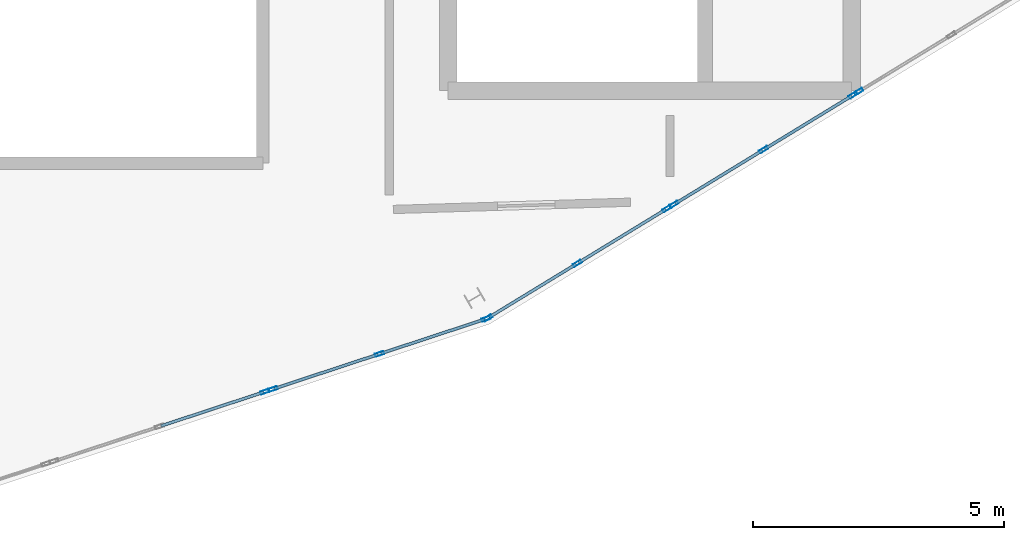
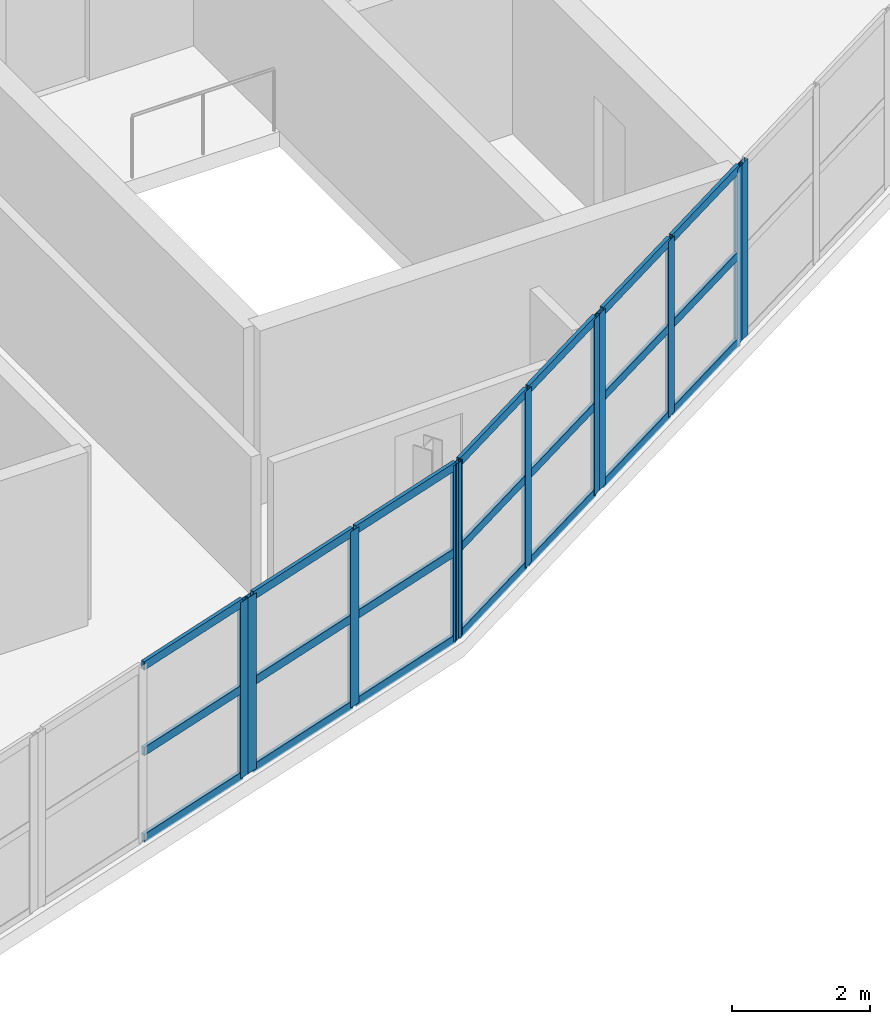
# One storey, part 19 of 35: 32 members, 5 elements without a shape of their own.
"""IFC4 building model written with IfcOpenShell, lengths in metres."""

from ifc_helpers import new_model, si_unit, direction, frame, origin, origin_2d, place, context, subcontext, project, spatial, hollow_rectangle, extrude, material, layer, layer_set, material_profile, profile_set, type_object, element, aggregate, save


model = new_model("IFC4")

# Units and contexts
model_context = context("Model", 3, precision=1e-05, world=origin(), true_north=direction((0.0, 1.0)))
body_context = subcontext(model_context, "Body", "Model", "MODEL_VIEW")
ifc_project = project(units=[si_unit("LENGTHUNIT", "METRE"), si_unit("AREAUNIT", "SQUARE_METRE"), si_unit("VOLUMEUNIT", "CUBIC_METRE"), si_unit("PLANEANGLEUNIT", "RADIAN"), si_unit("MASSUNIT", "GRAM", prefix="KILO")], contexts=[model_context])

# Site, building, storey
site_placement = place(None, origin())
site = spatial("IfcSite", under=ifc_project, at=site_placement, CompositionType="ELEMENT")
building_placement = place(site_placement, origin())
building = spatial("IfcBuilding", under=site, at=building_placement, Name="Kalgoora Escarpment Arena", CompositionType="ELEMENT")
storey_placement = place(building_placement, frame((0.0, 0.0, 23.39990234375)))
storey = spatial("IfcBuildingStorey", under=building, at=storey_placement, Name="L05", CompositionType="ELEMENT", Elevation=23.39990234375)

# Curtain wall, member
ifc_material_1 = material(Name=" Champagne anodised aluminium & double-glazed low-E", Category="aluminium")
ifc_layer_1 = layer(ifc_material_1, 0.166015625)
ifc_layer_set_1 = layer_set([ifc_layer_1], Name="CW-UNIT-04")
curtain_wall_type_1 = type_object("IfcCurtainWallType", Name="CW-UNIT-04", PredefinedType="NOTDEFINED", material=ifc_layer_set_1)
curtain_wall_1_placement = place(storey_placement, origin())
curtain_wall_1 = element("IfcCurtainWall", 1, at=curtain_wall_1_placement, inside=storey, type_object=curtain_wall_type_1, Name="L05 unitised facade curtain wall 183", PredefinedType="NOTDEFINED")
ifc_material_2 = material(Name="Anodised aluminium 6063-T6", Category="aluminium")
ifc_material_profile_1 = material_profile(ifc_material_2, hollow_rectangle(XDim=0.06494140625, YDim=0.179931640625, WallThickness=0.00390625, at=origin_2d()))
ifc_profile_set_1 = profile_set([ifc_material_profile_1], Name="Anodised aluminium 6063-T6")
member_type_1 = type_object("IfcMemberType", Name="MEM-CW-MULL-180", PredefinedType="MULLION", material=ifc_profile_set_1)
member_1_placement = place(storey_placement, frame((135.96533203125, 18.753662109375, 0.02001953125), z_axis=(0.0, 0.0, 1.0), x_axis=(0.52106650732, -0.853516077733, 0.0)))
member_1 = element("IfcMember", 2, at=member_1_placement, type_object=member_type_1, Name="CW-04 mullion 3", PredefinedType="MULLION", context=body_context, shape_type="SweptSolid", body=[
    extrude(hollow_rectangle(XDim=0.06494140625, YDim=0.179931640625, WallThickness=0.00390625, at=origin_2d()), origin(), (0.0, 0.0, 1.0), 3.1201171875),
])
aggregate(curtain_wall_1, [member_1])

# Curtain wall, members
ifc_material_3 = material(Name=" Champagne anodised aluminium & double-glazed low-E", Category="aluminium")
ifc_layer_2 = layer(ifc_material_3, 0.14990234375)
ifc_layer_set_2 = layer_set([ifc_layer_2], Name="CW-UNIT-05")
curtain_wall_type_2 = type_object("IfcCurtainWallType", Name="CW-UNIT-05", PredefinedType="NOTDEFINED", material=ifc_layer_set_2)
curtain_wall_2_placement = place(storey_placement, origin())
curtain_wall_2 = element("IfcCurtainWall", 3, at=curtain_wall_2_placement, inside=storey, type_object=curtain_wall_type_2, Name="L05 unitised facade curtain wall 184", PredefinedType="NOTDEFINED")
member_2_placement = place(storey_placement, frame((135.853515625, 18.685546875, 0.02001953125), z_axis=(0.0, 0.0, 1.0), x_axis=(0.521048501858, -0.853527069701, 0.0)))
member_2 = element("IfcMember", 4, at=member_2_placement, type_object=member_type_1, Name="CW-05 mullion 1", PredefinedType="MULLION", context=body_context, shape_type="SweptSolid", body=[
    extrude(hollow_rectangle(XDim=0.06494140625, YDim=0.179931640625, WallThickness=0.00390625, at=origin_2d()), origin(), (0.0, 0.0, 1.0), 3.1201171875),
])
member_3_placement = place(storey_placement, frame((134.066650390625, 17.5947265625, 0.02001953125), z_axis=(0.0, 0.0, 1.0), x_axis=(0.521048501858, -0.853527069701, 0.0)))
member_3 = element("IfcMember", 5, at=member_3_placement, type_object=member_type_1, Name="CW-05 mullion 2", PredefinedType="MULLION", context=body_context, shape_type="SweptSolid", body=[
    extrude(hollow_rectangle(XDim=0.06494140625, YDim=0.179931640625, WallThickness=0.00390625, at=origin_2d()), origin(), (0.0, 0.0, 1.0), 3.1201171875),
])
member_4_placement = place(storey_placement, frame((132.27978515625, 16.50390625, 0.02001953125), z_axis=(0.0, 0.0, 1.0), x_axis=(0.521048501858, -0.853527069701, 0.0)))
member_4 = element("IfcMember", 6, at=member_4_placement, type_object=member_type_1, Name="CW-05 mullion 3", PredefinedType="MULLION", context=body_context, shape_type="SweptSolid", body=[
    extrude(hollow_rectangle(XDim=0.06494140625, YDim=0.179931640625, WallThickness=0.00390625, at=origin_2d()), origin(), (0.0, 0.0, 1.0), 3.1201171875),
])

ifc_material_4 = material(Name=" Champagne anodised aluminium & double-glazed low-E", Category="aluminium")
ifc_layer_3 = layer(ifc_material_4, 0.154052734375)
ifc_layer_set_3 = layer_set([ifc_layer_3], Name="CW-UNIT-06")
curtain_wall_type_3 = type_object("IfcCurtainWallType", Name="CW-UNIT-06", PredefinedType="NOTDEFINED", material=ifc_layer_set_3)
curtain_wall_3_placement = place(storey_placement, origin())
curtain_wall_3 = element("IfcCurtainWall", 7, at=curtain_wall_3_placement, inside=storey, type_object=curtain_wall_type_3, Name="L05 unitised facade curtain wall 185", PredefinedType="NOTDEFINED")
member_5_placement = place(storey_placement, frame((132.138916015625, 16.41796875, 0.02001953125), z_axis=(0.0, 0.0, 1.0), x_axis=(0.521058961304, -0.853520684485, 0.0)))
member_5 = element("IfcMember", 8, at=member_5_placement, type_object=member_type_1, Name="CW-06 mullion 1", PredefinedType="MULLION", context=body_context, shape_type="SweptSolid", body=[
    extrude(hollow_rectangle(XDim=0.06494140625, YDim=0.179931640625, WallThickness=0.00390625, at=origin_2d()), origin(), (0.0, 0.0, 1.0), 3.1201171875),
])
member_6_placement = place(storey_placement, frame((130.35205078125, 15.3271484375, 0.02001953125), z_axis=(0.0, 0.0, 1.0), x_axis=(0.521058961304, -0.853520684485, 0.0)))
member_6 = element("IfcMember", 9, at=member_6_placement, type_object=member_type_1, Name="CW-06 mullion 2", PredefinedType="MULLION", context=body_context, shape_type="SweptSolid", body=[
    extrude(hollow_rectangle(XDim=0.06494140625, YDim=0.179931640625, WallThickness=0.00390625, at=origin_2d()), origin(), (0.0, 0.0, 1.0), 3.1201171875),
])
member_7_placement = place(storey_placement, frame((128.565185546875, 14.236328125, 0.02001953125), z_axis=(0.0, 0.0, 1.0), x_axis=(0.521058961304, -0.853520684485, 0.0)))
member_7 = element("IfcMember", 10, at=member_7_placement, type_object=member_type_1, Name="CW-06 mullion 3", PredefinedType="MULLION", context=body_context, shape_type="SweptSolid", body=[
    extrude(hollow_rectangle(XDim=0.06494140625, YDim=0.179931640625, WallThickness=0.00390625, at=origin_2d()), origin(), (0.0, 0.0, 1.0), 3.1201171875),
])

ifc_material_5 = material(Name=" Champagne anodised aluminium & double-glazed low-E", Category="aluminium")
ifc_layer_4 = layer(ifc_material_5, 0.157958984375)
ifc_layer_set_4 = layer_set([ifc_layer_4], Name="CW-UNIT-07")
curtain_wall_type_4 = type_object("IfcCurtainWallType", Name="CW-UNIT-07", PredefinedType="NOTDEFINED", material=ifc_layer_set_4)
curtain_wall_4_placement = place(storey_placement, origin())
curtain_wall_4 = element("IfcCurtainWall", 11, at=curtain_wall_4_placement, inside=storey, type_object=curtain_wall_type_4, Name="L05 unitised facade curtain wall 186", PredefinedType="NOTDEFINED")
member_8_placement = place(storey_placement, frame((128.531494140625, 14.220703125, 0.02001953125), z_axis=(0.0, 0.0, 1.0), x_axis=(0.312985861452, -0.949757785191, 0.0)))
member_8 = element("IfcMember", 12, at=member_8_placement, type_object=member_type_1, Name="CW-07 mullion 1", PredefinedType="MULLION", context=body_context, shape_type="SweptSolid", body=[
    extrude(hollow_rectangle(XDim=0.06494140625, YDim=0.179931640625, WallThickness=0.00390625, at=origin_2d()), origin(), (0.0, 0.0, 1.0), 3.1201171875),
])
member_9_placement = place(storey_placement, frame((126.403564453125, 13.51953125, 0.02001953125), z_axis=(0.0, 0.0, 1.0), x_axis=(0.312985861452, -0.949757785191, 0.0)))
member_9 = element("IfcMember", 13, at=member_9_placement, type_object=member_type_1, Name="CW-07 mullion 2", PredefinedType="MULLION", context=body_context, shape_type="SweptSolid", body=[
    extrude(hollow_rectangle(XDim=0.06494140625, YDim=0.179931640625, WallThickness=0.00390625, at=origin_2d()), origin(), (0.0, 0.0, 1.0), 3.1201171875),
])
member_10_placement = place(storey_placement, frame((124.275390625, 12.818115234375, 0.02001953125), z_axis=(0.0, 0.0, 1.0), x_axis=(0.312985861452, -0.949757785191, 0.0)))
member_10 = element("IfcMember", 14, at=member_10_placement, type_object=member_type_1, Name="CW-07 mullion 3", PredefinedType="MULLION", context=body_context, shape_type="SweptSolid", body=[
    extrude(hollow_rectangle(XDim=0.06494140625, YDim=0.179931640625, WallThickness=0.00390625, at=origin_2d()), origin(), (0.0, 0.0, 1.0), 3.1201171875),
])

# Curtain wall, member
ifc_material_6 = material(Name=" Champagne anodised aluminium & double-glazed low-E", Category="aluminium")
ifc_layer_5 = layer(ifc_material_6, 0.162109375)
ifc_layer_set_5 = layer_set([ifc_layer_5], Name="CW-UNIT-08")
curtain_wall_type_5 = type_object("IfcCurtainWallType", Name="CW-UNIT-08", PredefinedType="NOTDEFINED", material=ifc_layer_set_5)
curtain_wall_5_placement = place(storey_placement, origin())
curtain_wall_5 = element("IfcCurtainWall", 15, at=curtain_wall_5_placement, inside=storey, type_object=curtain_wall_type_5, Name="L05 unitised facade curtain wall 187", PredefinedType="NOTDEFINED")
member_11_placement = place(storey_placement, frame((124.11865234375, 12.7666015625, 0.02001953125), z_axis=(0.0, 0.0, 1.0), x_axis=(0.312989939956, -0.94975644114, 0.0)))
member_11 = element("IfcMember", 16, at=member_11_placement, type_object=member_type_1, Name="CW-08 mullion 1", PredefinedType="MULLION", context=body_context, shape_type="SweptSolid", body=[
    extrude(hollow_rectangle(XDim=0.06494140625, YDim=0.179931640625, WallThickness=0.00390625, at=origin_2d()), origin(), (0.0, 0.0, 1.0), 3.1201171875),
])

# Member
ifc_material_7 = material(Name="Anodised aluminium 6063-T6", Category="aluminium")
ifc_material_profile_2 = material_profile(ifc_material_7, hollow_rectangle(XDim=0.06005859375, YDim=0.14990234375, WallThickness=0.00341796875, at=origin_2d()))
ifc_profile_set_2 = profile_set([ifc_material_profile_2], Name="Anodised aluminium 6063-T6")
member_type_2 = type_object("IfcMemberType", Name="MEM-CW-TRAN-150", PredefinedType="USERDEFINED", material=ifc_profile_set_2)
member_12_placement = place(storey_placement, frame((135.82568359375, 18.66845703125, 0.050048828125), z_axis=(-0.853549474663, -0.521011798621, 0.0), x_axis=(0.521011798621, -0.853549474663, 0.0)))
member_12 = element("IfcMember", 17, at=member_12_placement, type_object=member_type_2, Name="CW-05 transom 1.1", ObjectType="TRANSOM", PredefinedType="USERDEFINED", context=body_context, shape_type="SweptSolid", body=[
    extrude(hollow_rectangle(XDim=0.06005859375, YDim=0.14990234375, WallThickness=0.00341796875, at=origin_2d()), origin(), (0.0, 0.0, 1.0), 2.028564453125),
])

member_13_placement = place(storey_placement, frame((135.82568359375, 18.66845703125, 1.590087890625), z_axis=(-0.853549474663, -0.521011798621, 0.0), x_axis=(0.521011798621, -0.853549474663, 0.0)))
member_13 = element("IfcMember", 18, at=member_13_placement, type_object=member_type_2, Name="CW-05 transom 1.2", ObjectType="TRANSOM", PredefinedType="USERDEFINED", context=body_context, shape_type="SweptSolid", body=[
    extrude(hollow_rectangle(XDim=0.06005859375, YDim=0.14990234375, WallThickness=0.00341796875, at=origin_2d()), origin(), (0.0, 0.0, 1.0), 2.028564453125),
])

member_14_placement = place(storey_placement, frame((135.82568359375, 18.66845703125, 3.110107421875), z_axis=(-0.853549474663, -0.521011798621, 0.0), x_axis=(0.521011798621, -0.853549474663, 0.0)))
member_14 = element("IfcMember", 19, at=member_14_placement, type_object=member_type_2, Name="CW-05 transom 1.3", ObjectType="TRANSOM", PredefinedType="USERDEFINED", context=body_context, shape_type="SweptSolid", body=[
    extrude(hollow_rectangle(XDim=0.06005859375, YDim=0.14990234375, WallThickness=0.00341796875, at=origin_2d()), origin(), (0.0, 0.0, 1.0), 2.028564453125),
])

member_15_placement = place(storey_placement, frame((134.038818359375, 17.57763671875, 0.050048828125), z_axis=(-0.853549474663, -0.521011798621, 0.0), x_axis=(0.521011798621, -0.853549474663, 0.0)))
member_15 = element("IfcMember", 20, at=member_15_placement, type_object=member_type_2, Name="CW-05 transom 2.1", ObjectType="TRANSOM", PredefinedType="USERDEFINED", context=body_context, shape_type="SweptSolid", body=[
    extrude(hollow_rectangle(XDim=0.06005859375, YDim=0.14990234375, WallThickness=0.00341796875, at=origin_2d()), origin(), (0.0, 0.0, 1.0), 2.028564453125),
])

member_16_placement = place(storey_placement, frame((134.038818359375, 17.57763671875, 1.590087890625), z_axis=(-0.853549474663, -0.521011798621, 0.0), x_axis=(0.521011798621, -0.853549474663, 0.0)))
member_16 = element("IfcMember", 21, at=member_16_placement, type_object=member_type_2, Name="CW-05 transom 2.2", ObjectType="TRANSOM", PredefinedType="USERDEFINED", context=body_context, shape_type="SweptSolid", body=[
    extrude(hollow_rectangle(XDim=0.06005859375, YDim=0.14990234375, WallThickness=0.00341796875, at=origin_2d()), origin(), (0.0, 0.0, 1.0), 2.028564453125),
])

member_17_placement = place(storey_placement, frame((134.038818359375, 17.57763671875, 3.110107421875), z_axis=(-0.853549474663, -0.521011798621, 0.0), x_axis=(0.521011798621, -0.853549474663, 0.0)))
member_17 = element("IfcMember", 22, at=member_17_placement, type_object=member_type_2, Name="CW-05 transom 2.3", ObjectType="TRANSOM", PredefinedType="USERDEFINED", context=body_context, shape_type="SweptSolid", body=[
    extrude(hollow_rectangle(XDim=0.06005859375, YDim=0.14990234375, WallThickness=0.00341796875, at=origin_2d()), origin(), (0.0, 0.0, 1.0), 2.028564453125),
])

aggregate(curtain_wall_2, [member_2, member_3, member_4, member_12, member_13, member_14, member_15, member_16, member_17])

member_18_placement = place(storey_placement, frame((132.111083984375, 16.40087890625, 0.050048828125), z_axis=(-0.853516799181, -0.521065325575, 0.0), x_axis=(0.521065325575, -0.853516799181, 0.0)))
member_18 = element("IfcMember", 23, at=member_18_placement, type_object=member_type_2, Name="CW-06 transom 1.1", ObjectType="TRANSOM", PredefinedType="USERDEFINED", context=body_context, shape_type="SweptSolid", body=[
    extrude(hollow_rectangle(XDim=0.06005859375, YDim=0.14990234375, WallThickness=0.00341796875, at=origin_2d()), origin(), (0.0, 0.0, 1.0), 2.0283203125),
])

member_19_placement = place(storey_placement, frame((132.111083984375, 16.40087890625, 1.590087890625), z_axis=(-0.853516799181, -0.521065325575, 0.0), x_axis=(0.521065325575, -0.853516799181, 0.0)))
member_19 = element("IfcMember", 24, at=member_19_placement, type_object=member_type_2, Name="CW-06 transom 1.2", ObjectType="TRANSOM", PredefinedType="USERDEFINED", context=body_context, shape_type="SweptSolid", body=[
    extrude(hollow_rectangle(XDim=0.06005859375, YDim=0.14990234375, WallThickness=0.00341796875, at=origin_2d()), origin(), (0.0, 0.0, 1.0), 2.0283203125),
])

member_20_placement = place(storey_placement, frame((132.111083984375, 16.40087890625, 3.110107421875), z_axis=(-0.853516799181, -0.521065325575, 0.0), x_axis=(0.521065325575, -0.853516799181, 0.0)))
member_20 = element("IfcMember", 25, at=member_20_placement, type_object=member_type_2, Name="CW-06 transom 1.3", ObjectType="TRANSOM", PredefinedType="USERDEFINED", context=body_context, shape_type="SweptSolid", body=[
    extrude(hollow_rectangle(XDim=0.06005859375, YDim=0.14990234375, WallThickness=0.00341796875, at=origin_2d()), origin(), (0.0, 0.0, 1.0), 2.0283203125),
])

member_21_placement = place(storey_placement, frame((130.32421875, 15.31005859375, 0.050048828125), z_axis=(-0.853516799181, -0.521065325575, 0.0), x_axis=(0.521065325575, -0.853516799181, 0.0)))
member_21 = element("IfcMember", 26, at=member_21_placement, type_object=member_type_2, Name="CW-06 transom 2.1", ObjectType="TRANSOM", PredefinedType="USERDEFINED", context=body_context, shape_type="SweptSolid", body=[
    extrude(hollow_rectangle(XDim=0.06005859375, YDim=0.14990234375, WallThickness=0.00341796875, at=origin_2d()), origin(), (0.0, 0.0, 1.0), 2.0283203125),
])

member_22_placement = place(storey_placement, frame((130.32421875, 15.31005859375, 1.590087890625), z_axis=(-0.853516799181, -0.521065325575, 0.0), x_axis=(0.521065325575, -0.853516799181, 0.0)))
member_22 = element("IfcMember", 27, at=member_22_placement, type_object=member_type_2, Name="CW-06 transom 2.2", ObjectType="TRANSOM", PredefinedType="USERDEFINED", context=body_context, shape_type="SweptSolid", body=[
    extrude(hollow_rectangle(XDim=0.06005859375, YDim=0.14990234375, WallThickness=0.00341796875, at=origin_2d()), origin(), (0.0, 0.0, 1.0), 2.0283203125),
])

member_23_placement = place(storey_placement, frame((130.32421875, 15.31005859375, 3.110107421875), z_axis=(-0.853516799181, -0.521065325575, 0.0), x_axis=(0.521065325575, -0.853516799181, 0.0)))
member_23 = element("IfcMember", 28, at=member_23_placement, type_object=member_type_2, Name="CW-06 transom 2.3", ObjectType="TRANSOM", PredefinedType="USERDEFINED", context=body_context, shape_type="SweptSolid", body=[
    extrude(hollow_rectangle(XDim=0.06005859375, YDim=0.14990234375, WallThickness=0.00341796875, at=origin_2d()), origin(), (0.0, 0.0, 1.0), 2.0283203125),
])

aggregate(curtain_wall_3, [member_5, member_6, member_7, member_18, member_19, member_20, member_21, member_22, member_23])

member_24_placement = place(storey_placement, frame((128.500732421875, 14.21044921875, 0.050048828125), z_axis=(-0.949766139008, -0.312960510597, 0.0), x_axis=(0.312960510597, -0.949766139008, 0.0)))
member_24 = element("IfcMember", 29, at=member_24_placement, type_object=member_type_2, Name="CW-07 transom 1.1", ObjectType="TRANSOM", PredefinedType="USERDEFINED", context=body_context, shape_type="SweptSolid", body=[
    extrude(hollow_rectangle(XDim=0.06005859375, YDim=0.14990234375, WallThickness=0.00341796875, at=origin_2d()), origin(), (0.0, 0.0, 1.0), 2.17578125),
])

member_25_placement = place(storey_placement, frame((128.500732421875, 14.21044921875, 1.590087890625), z_axis=(-0.949766139008, -0.312960510597, 0.0), x_axis=(0.312960510597, -0.949766139008, 0.0)))
member_25 = element("IfcMember", 30, at=member_25_placement, type_object=member_type_2, Name="CW-07 transom 1.2", ObjectType="TRANSOM", PredefinedType="USERDEFINED", context=body_context, shape_type="SweptSolid", body=[
    extrude(hollow_rectangle(XDim=0.06005859375, YDim=0.14990234375, WallThickness=0.00341796875, at=origin_2d()), origin(), (0.0, 0.0, 1.0), 2.17578125),
])

member_26_placement = place(storey_placement, frame((128.500732421875, 14.21044921875, 3.110107421875), z_axis=(-0.949766139008, -0.312960510597, 0.0), x_axis=(0.312960510597, -0.949766139008, 0.0)))
member_26 = element("IfcMember", 31, at=member_26_placement, type_object=member_type_2, Name="CW-07 transom 1.3", ObjectType="TRANSOM", PredefinedType="USERDEFINED", context=body_context, shape_type="SweptSolid", body=[
    extrude(hollow_rectangle(XDim=0.06005859375, YDim=0.14990234375, WallThickness=0.00341796875, at=origin_2d()), origin(), (0.0, 0.0, 1.0), 2.17578125),
])

member_27_placement = place(storey_placement, frame((126.37255859375, 13.50927734375, 0.050048828125), z_axis=(-0.949755146684, -0.312993867907, 0.0), x_axis=(0.312993867907, -0.949755146684, 0.0)))
member_27 = element("IfcMember", 32, at=member_27_placement, type_object=member_type_2, Name="CW-07 transom 2.1", ObjectType="TRANSOM", PredefinedType="USERDEFINED", context=body_context, shape_type="SweptSolid", body=[
    extrude(hollow_rectangle(XDim=0.06005859375, YDim=0.14990234375, WallThickness=0.00341796875, at=origin_2d()), origin(), (0.0, 0.0, 1.0), 2.175537109375),
])

member_28_placement = place(storey_placement, frame((126.37255859375, 13.50927734375, 1.590087890625), z_axis=(-0.949755146684, -0.312993867907, 0.0), x_axis=(0.312993867907, -0.949755146684, 0.0)))
member_28 = element("IfcMember", 33, at=member_28_placement, type_object=member_type_2, Name="CW-07 transom 2.2", ObjectType="TRANSOM", PredefinedType="USERDEFINED", context=body_context, shape_type="SweptSolid", body=[
    extrude(hollow_rectangle(XDim=0.06005859375, YDim=0.14990234375, WallThickness=0.00341796875, at=origin_2d()), origin(), (0.0, 0.0, 1.0), 2.175537109375),
])

member_29_placement = place(storey_placement, frame((126.37255859375, 13.50927734375, 3.110107421875), z_axis=(-0.949755146684, -0.312993867907, 0.0), x_axis=(0.312993867907, -0.949755146684, 0.0)))
member_29 = element("IfcMember", 34, at=member_29_placement, type_object=member_type_2, Name="CW-07 transom 2.3", ObjectType="TRANSOM", PredefinedType="USERDEFINED", context=body_context, shape_type="SweptSolid", body=[
    extrude(hollow_rectangle(XDim=0.06005859375, YDim=0.14990234375, WallThickness=0.00341796875, at=origin_2d()), origin(), (0.0, 0.0, 1.0), 2.175537109375),
])

aggregate(curtain_wall_4, [member_8, member_9, member_10, member_24, member_25, member_26, member_27, member_28, member_29])

member_30_placement = place(storey_placement, frame((124.087890625, 12.75634765625, 0.050048828125), z_axis=(-0.949767394709, -0.312956699798, 0.0), x_axis=(0.312956699798, -0.949767394709, 0.0)))
member_30 = element("IfcMember", 35, at=member_30_placement, type_object=member_type_2, Name="CW-08 transom 1.1", ObjectType="TRANSOM", PredefinedType="USERDEFINED", context=body_context, shape_type="SweptSolid", body=[
    extrude(hollow_rectangle(XDim=0.06005859375, YDim=0.14990234375, WallThickness=0.00341796875, at=origin_2d()), origin(), (0.0, 0.0, 1.0), 2.15087890625),
])

member_31_placement = place(storey_placement, frame((124.087890625, 12.75634765625, 1.590087890625), z_axis=(-0.949767394709, -0.312956699798, 0.0), x_axis=(0.312956699798, -0.949767394709, 0.0)))
member_31 = element("IfcMember", 36, at=member_31_placement, type_object=member_type_2, Name="CW-08 transom 1.2", ObjectType="TRANSOM", PredefinedType="USERDEFINED", context=body_context, shape_type="SweptSolid", body=[
    extrude(hollow_rectangle(XDim=0.06005859375, YDim=0.14990234375, WallThickness=0.00341796875, at=origin_2d()), origin(), (0.0, 0.0, 1.0), 2.15087890625),
])

member_32_placement = place(storey_placement, frame((124.087890625, 12.75634765625, 3.110107421875), z_axis=(-0.949767394709, -0.312956699798, 0.0), x_axis=(0.312956699798, -0.949767394709, 0.0)))
member_32 = element("IfcMember", 37, at=member_32_placement, type_object=member_type_2, Name="CW-08 transom 1.3", ObjectType="TRANSOM", PredefinedType="USERDEFINED", context=body_context, shape_type="SweptSolid", body=[
    extrude(hollow_rectangle(XDim=0.06005859375, YDim=0.14990234375, WallThickness=0.00341796875, at=origin_2d()), origin(), (0.0, 0.0, 1.0), 2.15087890625),
])

aggregate(curtain_wall_5, [member_11, member_30, member_31, member_32])

save(model, "model.ifc")
